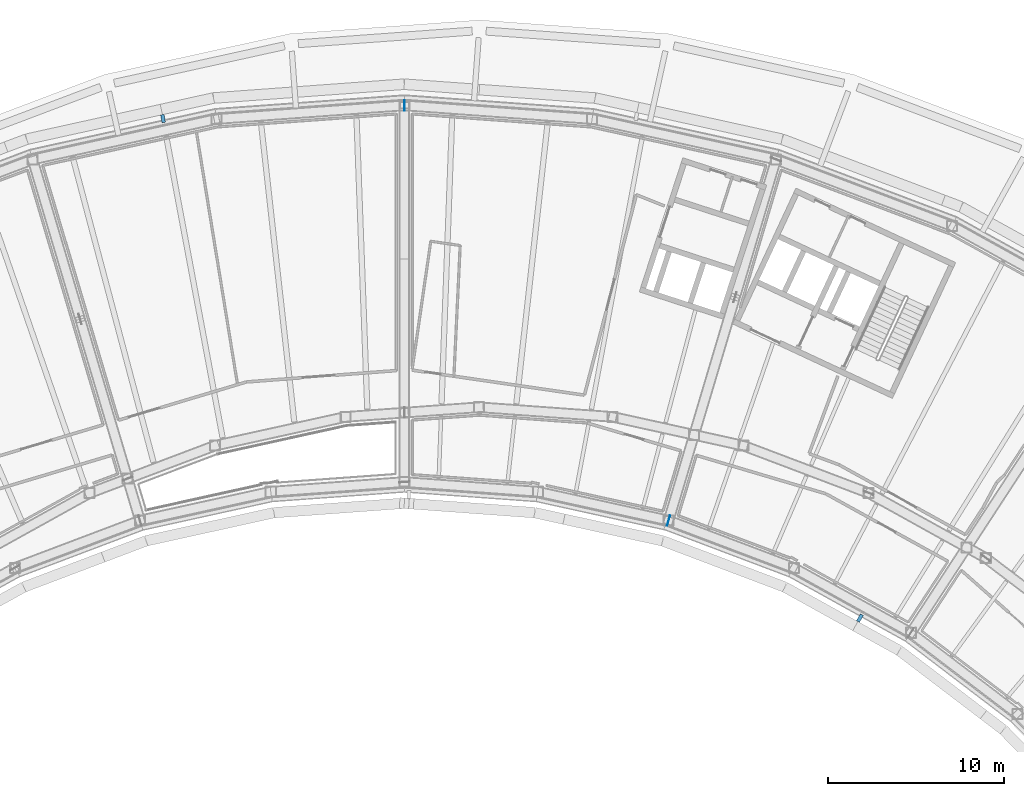
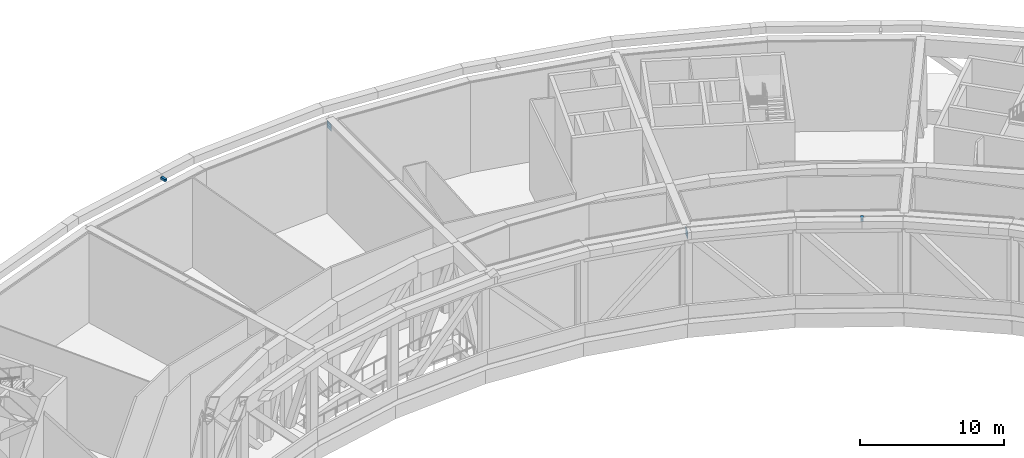
# One storey, part 17 of 24: 4 discrete accessories.
"""IFC4 building model written with IfcOpenShell, lengths in metres."""

from ifc_helpers import new_model, si_unit, direction, frame, origin, origin_2d, place, context, subcontext, project, spatial, rectangle, extrude, material, type_object, element, save


model = new_model("IFC4")

# Units and contexts
model_context = context("Model", 3, precision=1e-05, world=origin(), true_north=direction((0.0, 1.0)))
body_context = subcontext(model_context, "Body", "Model", "MODEL_VIEW")
ifc_project = project(units=[si_unit("LENGTHUNIT", "METRE"), si_unit("AREAUNIT", "SQUARE_METRE"), si_unit("VOLUMEUNIT", "CUBIC_METRE"), si_unit("PLANEANGLEUNIT", "RADIAN"), si_unit("MASSUNIT", "GRAM", prefix="KILO")], contexts=[model_context])

# Site, building, storey
site_placement = place(None, origin())
site = spatial("IfcSite", under=ifc_project, at=site_placement, CompositionType="ELEMENT")
building_placement = place(site_placement, origin())
building = spatial("IfcBuilding", under=site, at=building_placement, Name="Tuul Gate Civic Tower", CompositionType="ELEMENT")
storey_placement = place(building_placement, frame((0.0, 0.0, 277.800048828125)))
storey = spatial("IfcBuildingStorey", under=building, at=storey_placement, Name="Wind floor 2", CompositionType="ELEMENT", Elevation=277.800048828125)

# Discrete accessories
ifc_material_1 = material(Name="Steel S355", Category="steel")
discrete_accessory_type_1 = type_object("IfcDiscreteAccessoryType", Name="Gusset plate", PredefinedType="BRACKET", material=ifc_material_1)
for number, where, z_axis, x_axis, name in (
    (1, (21.774169921875, -14.3076171875, 6.603759765625), (0.0, 0.0, 1.0), (0.285212112775, 0.958464423297, 0.0), "Gusset plate"),
    (2, (6.7880859375, 9.23388671875, 6.60302734375), (0.0, 0.0, 1.0), (0.0, -1.0, 0.0), "Gusset plate"),
):
    element("IfcDiscreteAccessory", number, at=place(storey_placement, frame(where, z_axis=z_axis, x_axis=x_axis)), inside=storey, type_object=discrete_accessory_type_1, Name=name, PredefinedType="BRACKET", context=body_context, shape_type="SweptSolid", body=[
        extrude(rectangle(XDim=0.60009765625, YDim=0.030029296875, at=origin_2d()), origin(), (0.0, 0.0, 1.0), 0.60009765625),
    ])
ifc_material_2 = material(Name="Stainless steel", Category="steel")
discrete_accessory_type_2 = type_object("IfcDiscreteAccessoryType", Name="Screen bracket", PredefinedType="BRACKET", material=ifc_material_2)
for number, where, z_axis, x_axis, name in (
    (3, (-6.893798828125, 8.4833984375, 7.5498046875), (0.0, 0.0, 1.0), (-0.183855279168, 0.982953323572, 0.0), "Screen bracket 10"),
    (4, (32.623779296875, -19.841552734375, 7.5498046875), (0.0, 0.0, 1.0), (-0.499375620877, -0.866385589258, 0.0), "Screen bracket 28"),
):
    element("IfcDiscreteAccessory", number, at=place(storey_placement, frame(where, z_axis=z_axis, x_axis=x_axis)), inside=storey, type_object=discrete_accessory_type_2, Name=name, PredefinedType="BRACKET", context=body_context, shape_type="SweptSolid", body=[
        extrude(rectangle(XDim=0.4501953125, YDim=0.199951171875, at=origin_2d()), origin(), (0.0, 0.0, 1.0), 0.199951171875),
    ])

save(model, "model.ifc")
